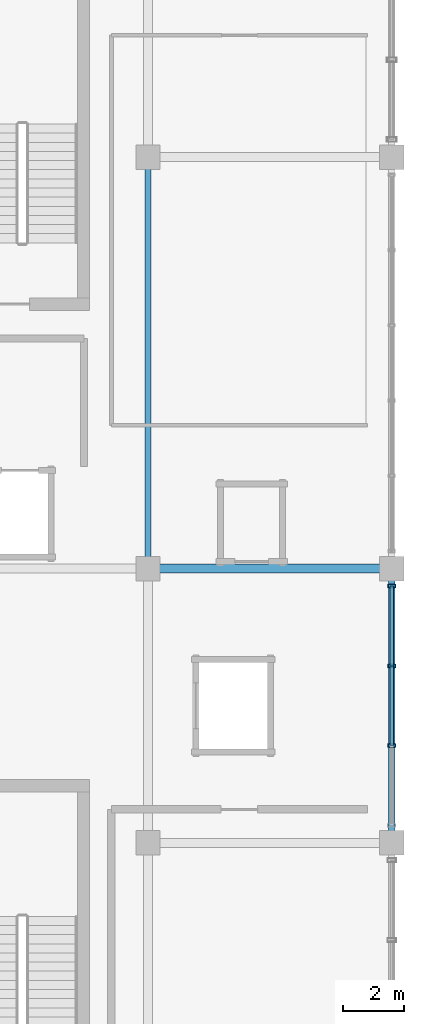
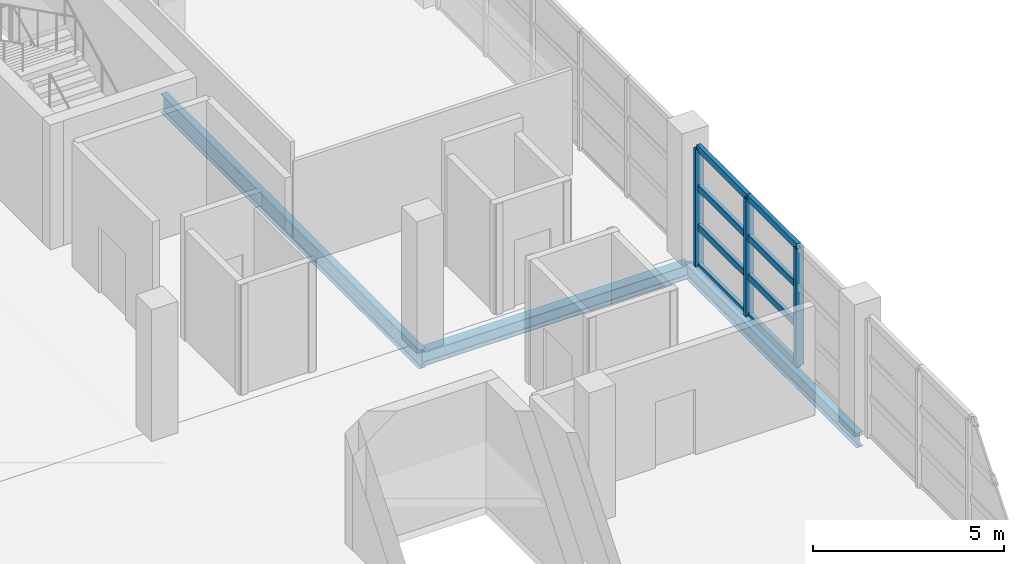
# One storey, part 93 of 136: 11 members, 3 beams, 1 element without a shape of its own.
"""IFC4 building model written with IfcOpenShell, lengths in metres."""

from ifc_helpers import new_model, si_unit, direction, frame, origin, origin_2d, place, context, subcontext, project, spatial, hollow_rectangle, i_section, extrude, material, material_profile, profile_set, type_object, element, aggregate, save


model = new_model("IFC4")

# Units and contexts
model_context = context("Model", 3, precision=1e-05, world=origin(), true_north=direction((0.0, 1.0)))
body_context = subcontext(model_context, "Body", "Model", "MODEL_VIEW")
ifc_project = project(units=[si_unit("LENGTHUNIT", "METRE"), si_unit("AREAUNIT", "SQUARE_METRE"), si_unit("VOLUMEUNIT", "CUBIC_METRE"), si_unit("PLANEANGLEUNIT", "RADIAN"), si_unit("MASSUNIT", "GRAM", prefix="KILO")], contexts=[model_context])

# Site, building, storey
site_placement = place(None, origin())
site = spatial("IfcSite", under=ifc_project, at=site_placement, CompositionType="ELEMENT")
building_placement = place(site_placement, origin())
building = spatial("IfcBuilding", under=site, at=building_placement, Name="Chuanluo Vaults Station", CompositionType="ELEMENT")
storey_placement = place(building_placement, frame((0.0, 0.0, 6.60009765625)))
storey = spatial("IfcBuildingStorey", under=building, at=storey_placement, Name="L01", CompositionType="ELEMENT", Elevation=6.60009765625)

# Beams
ifc_material_1 = material(Name="Steel Q355C", Category="steel")
ifc_material_profile_1 = material_profile(ifc_material_1, i_section(OverallWidth=0.300048828125, OverallDepth=0.43994140625, WebThickness=0.010986328125, FlangeThickness=0.01806640625, FilletRadius=0.02001953125, at=origin_2d()))
ifc_profile_set_1 = profile_set([ifc_material_profile_1], Name="Steel Q355C")
beam_type_1 = type_object("IfcBeamType", Name="BM-GRD-450", PredefinedType="USERDEFINED", material=ifc_profile_set_1)
beam_1_placement = place(storey_placement, frame((180.0, 103.5, -0.460205078125), z_axis=(1.0, 0.0, 0.0), x_axis=(0.0, 1.0, 0.0)))
element("IfcBeam", 1, at=beam_1_placement, inside=storey, type_object=beam_type_1, Name="Floor girder BM:GX:L01:0376", ObjectType="GIRDER", PredefinedType="USERDEFINED", context=body_context, shape_type="SweptSolid", body=[
    extrude(i_section(OverallWidth=0.300048828125, OverallDepth=0.43994140625, WebThickness=0.010986328125, FlangeThickness=0.01806640625, FilletRadius=0.02001953125, at=origin_2d()), origin(), (0.0, 0.0, 1.0), 8.0),
])
ifc_material_2 = material(Name="Steel Q355C", Category="steel")
ifc_material_profile_2 = material_profile(ifc_material_2, i_section(OverallWidth=0.199951171875, OverallDepth=0.60009765625, WebThickness=0.010986328125, FlangeThickness=0.01708984375, FilletRadius=0.01806640625, at=origin_2d()))
ifc_profile_set_2 = profile_set([ifc_material_profile_2], Name="Steel Q355C")
beam_type_2 = type_object("IfcBeamType", Name="BM-GRD-600", PredefinedType="USERDEFINED", material=ifc_profile_set_2)
beam_2_placement = place(storey_placement, frame((180.0, 103.5, -0.5400390625), z_axis=(0.0, 1.0, 0.0), x_axis=(-1.0, 0.0, 0.0)))
element("IfcBeam", 2, at=beam_2_placement, inside=storey, type_object=beam_type_2, Name="Floor girder BM:GY:L01:0521", ObjectType="GIRDER", PredefinedType="USERDEFINED", context=body_context, shape_type="SweptSolid", body=[
    extrude(i_section(OverallWidth=0.199951171875, OverallDepth=0.60009765625, WebThickness=0.010986328125, FlangeThickness=0.01708984375, FilletRadius=0.01806640625, at=origin_2d()), origin(), (0.0, 0.0, 1.0), 13.5),
])
ifc_material_3 = material(Name="Steel Q355C", Category="steel")
ifc_material_profile_3 = material_profile(ifc_material_3, i_section(OverallWidth=0.205078125, OverallDepth=0.4599609375, WebThickness=0.009033203125, FlangeThickness=0.013916015625, FilletRadius=0.01611328125, at=origin_2d()))
ifc_profile_set_3 = profile_set([ifc_material_profile_3], Name="Steel Q355C")
beam_type_3 = type_object("IfcBeamType", Name="BM-SPN-450", PredefinedType="SPANDREL", material=ifc_profile_set_3)
beam_3_placement = place(storey_placement, frame((188.0, 94.5, -0.47021484375), z_axis=(0.0, 1.0, 0.0), x_axis=(-1.0, 0.0, 0.0)))
element("IfcBeam", 3, at=beam_3_placement, inside=storey, type_object=beam_type_3, Name="Floor girder BM:GY:L01:0532", PredefinedType="SPANDREL", context=body_context, shape_type="SweptSolid", body=[
    extrude(i_section(OverallWidth=0.205078125, OverallDepth=0.4599609375, WebThickness=0.009033203125, FlangeThickness=0.013916015625, FilletRadius=0.01611328125, at=origin_2d()), origin(), (0.0, 0.0, 1.0), 9.0),
])

# Curtain wall, members
ifc_material_4 = material(Name="Anodised aluminium 6063-T6", Category="aluminium")
curtain_wall_type = type_object("IfcCurtainWallType", Name="CW-SYS-27", PredefinedType="NOTDEFINED", material=ifc_material_4)
curtain_wall_placement = place(storey_placement, origin())
curtain_wall = element("IfcCurtainWall", 4, at=curtain_wall_placement, inside=storey, type_object=curtain_wall_type, Name="Operations L01 facade CW", PredefinedType="NOTDEFINED")
ifc_material_5 = material(Name="Anodised aluminium 6063-T6", Category="aluminium")
ifc_material_profile_4 = material_profile(ifc_material_5, hollow_rectangle(XDim=0.1201171875, YDim=0.25, WallThickness=0.006103515625, at=origin_2d()))
ifc_profile_set_4 = profile_set([ifc_material_profile_4], Name="Anodised aluminium 6063-T6")
member_type_1 = type_object("IfcMemberType", Name="CWM-160", PredefinedType="MULLION", material=ifc_profile_set_4)
member_1_placement = place(storey_placement, frame((188.0, 102.925048828125, 0.0), z_axis=(0.0, 0.0, 1.0), x_axis=(0.0, -1.0, 0.0)))
member_1 = element("IfcMember", 5, at=member_1_placement, type_object=member_type_1, Name="Operations L01 facade CW mullion 1", PredefinedType="MULLION", context=body_context, shape_type="SweptSolid", body=[
    extrude(hollow_rectangle(XDim=0.1201171875, YDim=0.25, WallThickness=0.006103515625, at=origin_2d()), origin(), (0.0, 0.0, 1.0), 3.75),
])
member_2_placement = place(storey_placement, frame((188.0, 100.308349609375, 0.0), z_axis=(0.0, 0.0, 1.0), x_axis=(0.0, -1.0, 0.0)))
member_2 = element("IfcMember", 6, at=member_2_placement, type_object=member_type_1, Name="Operations L01 facade CW mullion 2", PredefinedType="MULLION", context=body_context, shape_type="SweptSolid", body=[
    extrude(hollow_rectangle(XDim=0.1201171875, YDim=0.25, WallThickness=0.006103515625, at=origin_2d()), origin(), (0.0, 0.0, 1.0), 3.75),
])
member_3_placement = place(storey_placement, frame((188.0, 97.691650390625, 0.0), z_axis=(0.0, 0.0, 1.0), x_axis=(0.0, -1.0, 0.0)))
member_3 = element("IfcMember", 7, at=member_3_placement, type_object=member_type_1, Name="Operations L01 facade CW mullion 3", PredefinedType="MULLION", context=body_context, shape_type="SweptSolid", body=[
    extrude(hollow_rectangle(XDim=0.1201171875, YDim=0.25, WallThickness=0.006103515625, at=origin_2d()), origin(), (0.0, 0.0, 1.0), 3.75),
])
ifc_material_6 = material(Name="Anodised aluminium 6063-T6", Category="aluminium")
ifc_material_profile_5 = material_profile(ifc_material_6, hollow_rectangle(XDim=0.1201171875, YDim=0.205078125, WallThickness=0.006103515625, at=origin_2d()))
ifc_profile_set_5 = profile_set([ifc_material_profile_5], Name="Anodised aluminium 6063-T6")
member_type_2 = type_object("IfcMemberType", Name="CWT-130", PredefinedType="USERDEFINED", material=ifc_profile_set_5)
member_4_placement = place(storey_placement, frame((188.0, 102.925048828125, 0.0), z_axis=(0.0, -1.0, 0.0), x_axis=(1.0, 0.0, 0.0)))
member_4 = element("IfcMember", 8, at=member_4_placement, type_object=member_type_2, Name="Operations L01 facade CW transom 1.1", ObjectType="TRANSOM", PredefinedType="USERDEFINED", context=body_context, shape_type="SweptSolid", body=[
    extrude(hollow_rectangle(XDim=0.1201171875, YDim=0.205078125, WallThickness=0.006103515625, at=origin_2d()), origin(), (0.0, 0.0, 1.0), 2.61669921875),
])
member_5_placement = place(storey_placement, frame((188.0, 102.925048828125, 1.25), z_axis=(0.0, -1.0, 0.0), x_axis=(1.0, 0.0, 0.0)))
member_5 = element("IfcMember", 9, at=member_5_placement, type_object=member_type_2, Name="Operations L01 facade CW transom 1.2", ObjectType="TRANSOM", PredefinedType="USERDEFINED", context=body_context, shape_type="SweptSolid", body=[
    extrude(hollow_rectangle(XDim=0.1201171875, YDim=0.205078125, WallThickness=0.006103515625, at=origin_2d()), origin(), (0.0, 0.0, 1.0), 2.61669921875),
])
member_6_placement = place(storey_placement, frame((188.0, 102.925048828125, 2.5), z_axis=(0.0, -1.0, 0.0), x_axis=(1.0, 0.0, 0.0)))
member_6 = element("IfcMember", 10, at=member_6_placement, type_object=member_type_2, Name="Operations L01 facade CW transom 1.3", ObjectType="TRANSOM", PredefinedType="USERDEFINED", context=body_context, shape_type="SweptSolid", body=[
    extrude(hollow_rectangle(XDim=0.1201171875, YDim=0.205078125, WallThickness=0.006103515625, at=origin_2d()), origin(), (0.0, 0.0, 1.0), 2.61669921875),
])
member_7_placement = place(storey_placement, frame((188.0, 102.925048828125, 3.75), z_axis=(0.0, -1.0, 0.0), x_axis=(1.0, 0.0, 0.0)))
member_7 = element("IfcMember", 11, at=member_7_placement, type_object=member_type_2, Name="Operations L01 facade CW transom 1.4", ObjectType="TRANSOM", PredefinedType="USERDEFINED", context=body_context, shape_type="SweptSolid", body=[
    extrude(hollow_rectangle(XDim=0.1201171875, YDim=0.205078125, WallThickness=0.006103515625, at=origin_2d()), origin(), (0.0, 0.0, 1.0), 2.61669921875),
])
member_8_placement = place(storey_placement, frame((188.0, 100.308349609375, 0.0), z_axis=(0.0, -1.0, 0.0), x_axis=(1.0, 0.0, 0.0)))
member_8 = element("IfcMember", 12, at=member_8_placement, type_object=member_type_2, Name="Operations L01 facade CW transom 2.1", ObjectType="TRANSOM", PredefinedType="USERDEFINED", context=body_context, shape_type="SweptSolid", body=[
    extrude(hollow_rectangle(XDim=0.1201171875, YDim=0.205078125, WallThickness=0.006103515625, at=origin_2d()), origin(), (0.0, 0.0, 1.0), 2.61669921875),
])
member_9_placement = place(storey_placement, frame((188.0, 100.308349609375, 1.25), z_axis=(0.0, -1.0, 0.0), x_axis=(1.0, 0.0, 0.0)))
member_9 = element("IfcMember", 13, at=member_9_placement, type_object=member_type_2, Name="Operations L01 facade CW transom 2.2", ObjectType="TRANSOM", PredefinedType="USERDEFINED", context=body_context, shape_type="SweptSolid", body=[
    extrude(hollow_rectangle(XDim=0.1201171875, YDim=0.205078125, WallThickness=0.006103515625, at=origin_2d()), origin(), (0.0, 0.0, 1.0), 2.61669921875),
])
member_10_placement = place(storey_placement, frame((188.0, 100.308349609375, 2.5), z_axis=(0.0, -1.0, 0.0), x_axis=(1.0, 0.0, 0.0)))
member_10 = element("IfcMember", 14, at=member_10_placement, type_object=member_type_2, Name="Operations L01 facade CW transom 2.3", ObjectType="TRANSOM", PredefinedType="USERDEFINED", context=body_context, shape_type="SweptSolid", body=[
    extrude(hollow_rectangle(XDim=0.1201171875, YDim=0.205078125, WallThickness=0.006103515625, at=origin_2d()), origin(), (0.0, 0.0, 1.0), 2.61669921875),
])
member_11_placement = place(storey_placement, frame((188.0, 100.308349609375, 3.75), z_axis=(0.0, -1.0, 0.0), x_axis=(1.0, 0.0, 0.0)))
member_11 = element("IfcMember", 15, at=member_11_placement, type_object=member_type_2, Name="Operations L01 facade CW transom 2.4", ObjectType="TRANSOM", PredefinedType="USERDEFINED", context=body_context, shape_type="SweptSolid", body=[
    extrude(hollow_rectangle(XDim=0.1201171875, YDim=0.205078125, WallThickness=0.006103515625, at=origin_2d()), origin(), (0.0, 0.0, 1.0), 2.61669921875),
])
aggregate(curtain_wall, [member_1, member_2, member_3, member_4, member_5, member_6, member_7, member_8, member_9, member_10, member_11])

save(model, "model.ifc")
